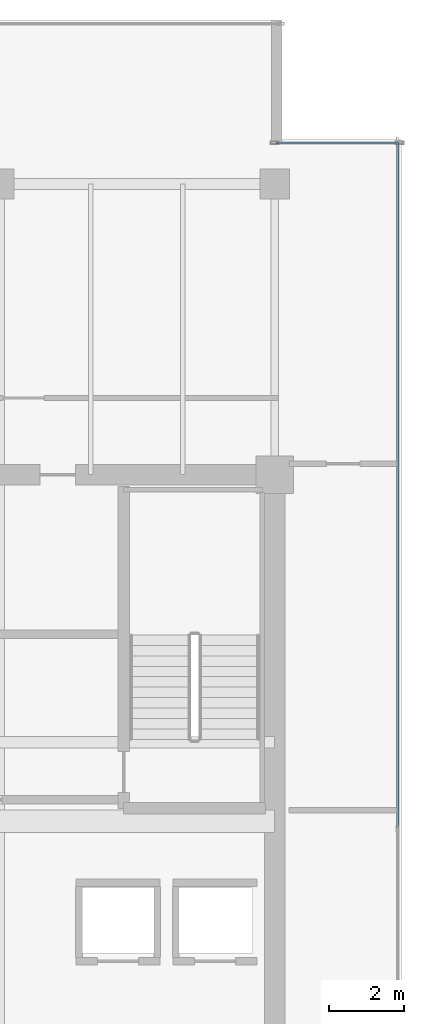
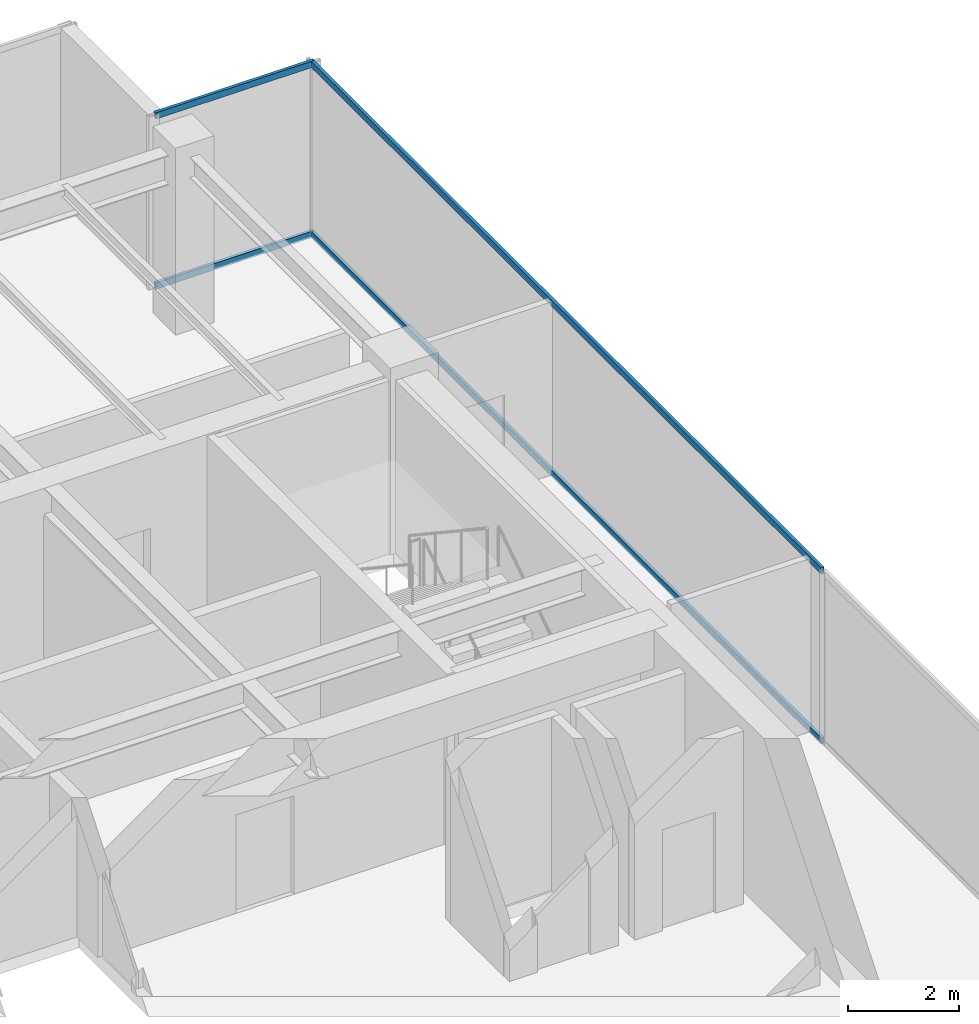
# One storey, part 25 of 33: 4 members, 2 elements without a shape of their own.
"""IFC4 building model written with IfcOpenShell, lengths in metres."""

from ifc_helpers import new_model, si_unit, direction, frame, origin, origin_2d, place, context, subcontext, project, spatial, hollow_rectangle, extrude, source, transform, mapped, material, layer, layer_set, material_profile, profile_set, type_object, type_shapes, element, aggregate, save


model = new_model("IFC4")

# Units and contexts
model_context = context("Model", 3, precision=1e-05, world=origin(), true_north=direction((0.0, 1.0)))
body_context = subcontext(model_context, "Body", "Model", "MODEL_VIEW")
ifc_project = project(units=[si_unit("LENGTHUNIT", "METRE"), si_unit("AREAUNIT", "SQUARE_METRE"), si_unit("VOLUMEUNIT", "CUBIC_METRE"), si_unit("PLANEANGLEUNIT", "RADIAN"), si_unit("MASSUNIT", "GRAM", prefix="KILO")], contexts=[model_context])

# Site, building, storey
site_placement = place(None, origin())
site = spatial("IfcSite", under=ifc_project, at=site_placement, CompositionType="ELEMENT")
building_placement = place(site_placement, origin())
building = spatial("IfcBuilding", under=site, at=building_placement, Name="Haelvirn Gate Laboratories", CompositionType="ELEMENT")
storey_placement = place(building_placement, frame((0.0, 0.0, 271.10009765625)))
storey = spatial("IfcBuildingStorey", under=building, at=storey_placement, Name="L65", CompositionType="ELEMENT", Elevation=271.10009765625)

# Curtain wall, members
ifc_material_1 = material(Name="Anodised bronze unitised aluminium & triple low-E glass", Category="aluminium")
ifc_layer_1 = layer(ifc_material_1, 0.181884765625, Name="CW-SYS-5")
ifc_layer_set_1 = layer_set([ifc_layer_1], Name="Anodised bronze unitised aluminium & triple low-E glass")
curtain_wall_type_1 = type_object("IfcCurtainWallType", Name="CW-SYS-5", PredefinedType="NOTDEFINED", material=ifc_layer_set_1)
curtain_wall_1_placement = place(storey_placement, origin())
curtain_wall_1 = element("IfcCurtainWall", 1, at=curtain_wall_1_placement, inside=storey, type_object=curtain_wall_type_1, Name="L65 Unitised Curtain Wall CW-L65-P0-E08-1", PredefinedType="NOTDEFINED")
ifc_material_2 = material(Name="Extruded aluminium 6063-T6 (anodised bronze)", Category="aluminium")
ifc_material_profile = material_profile(ifc_material_2, hollow_rectangle(XDim=0.06494140625, YDim=0.139892578125, WallThickness=0.00390625, at=origin_2d()), Name="CWT-140x65x4")
ifc_profile_set = profile_set([ifc_material_profile], Name="Extruded aluminium 6063-T6 (anodised bronze)")
member_type = type_object("IfcMemberType", Name="CWT-T140", PredefinedType="USERDEFINED", material=ifc_profile_set)
shared_shape_1 = source(origin(), body_context, "Body", "SweptSolid", [
    extrude(hollow_rectangle(XDim=0.06494140625, YDim=0.139892578125, WallThickness=0.00390625, at=origin_2d()), origin(), (0.0, 0.0, 1.0), 3.280029296875),
])
member_1_placement = place(storey_placement, frame((67.43994140625, 42.699951171875, 0.032470703125), z_axis=(1.0, 0.0, 0.0), x_axis=(0.0, 1.0, 0.0)))
member_1 = element("IfcMember", 2, at=member_1_placement, type_object=member_type, Name="CW5 transom 1.1", ObjectType="TRANSOM", PredefinedType="USERDEFINED", context=body_context, shape_type="MappedRepresentation", body=[
    mapped(shared_shape_1, transform((0.0, 0.0, 0.0), scale=1.0)),
])
member_2_placement = place(storey_placement, frame((67.43994140625, 42.699951171875, 3.767333984375), z_axis=(1.0, 0.0, 0.0), x_axis=(0.0, 1.0, 0.0)))
member_2 = element("IfcMember", 3, at=member_2_placement, type_object=member_type, Name="CW5 transom 1.2", ObjectType="TRANSOM", PredefinedType="USERDEFINED", context=body_context, shape_type="MappedRepresentation", body=[
    mapped(shared_shape_1, transform((0.0, 0.0, 0.0), scale=1.0)),
])
aggregate(curtain_wall_1, [member_1, member_2])

ifc_layer_2 = layer(ifc_material_1, 0.176025390625, Name="CW-SYS-4")
ifc_layer_set_2 = layer_set([ifc_layer_2], Name="Anodised bronze unitised aluminium & triple low-E glass")
curtain_wall_type_2 = type_object("IfcCurtainWallType", Name="CW-SYS-4", PredefinedType="NOTDEFINED", material=ifc_layer_set_2)
curtain_wall_2_placement = place(storey_placement, origin())
curtain_wall_2 = element("IfcCurtainWall", 4, at=curtain_wall_2_placement, inside=storey, type_object=curtain_wall_type_2, Name="L65 Unitised Curtain Wall CW-L65-P0-E07", PredefinedType="NOTDEFINED")
shared_shape_2 = source(origin(), body_context, "Body", "SweptSolid", [
    extrude(hollow_rectangle(XDim=0.06494140625, YDim=0.139892578125, WallThickness=0.00390625, at=origin_2d()), origin(), (0.0, 0.0, 1.0), 18.39501953125),
])
type_shapes(member_type, [shared_shape_1, shared_shape_2])
member_3_placement = place(storey_placement, frame((70.699951171875, 24.3349609375, 0.032470703125), z_axis=(0.0, 1.0, 0.0), x_axis=(-1.0, 0.0, 0.0)))
member_3 = element("IfcMember", 5, at=member_3_placement, type_object=member_type, Name="CW4 transom 2.1", ObjectType="TRANSOM", PredefinedType="USERDEFINED", context=body_context, shape_type="MappedRepresentation", body=[
    mapped(shared_shape_2, transform((0.0, 0.0, 0.0), scale=1.0)),
])
member_4_placement = place(storey_placement, frame((70.699951171875, 24.3349609375, 3.767333984375), z_axis=(0.0, 1.0, 0.0), x_axis=(-1.0, 0.0, 0.0)))
member_4 = element("IfcMember", 6, at=member_4_placement, type_object=member_type, Name="CW4 transom 2.2", ObjectType="TRANSOM", PredefinedType="USERDEFINED", context=body_context, shape_type="MappedRepresentation", body=[
    mapped(shared_shape_2, transform((0.0, 0.0, 0.0), scale=1.0)),
])
aggregate(curtain_wall_2, [member_3, member_4])

save(model, "model.ifc")
